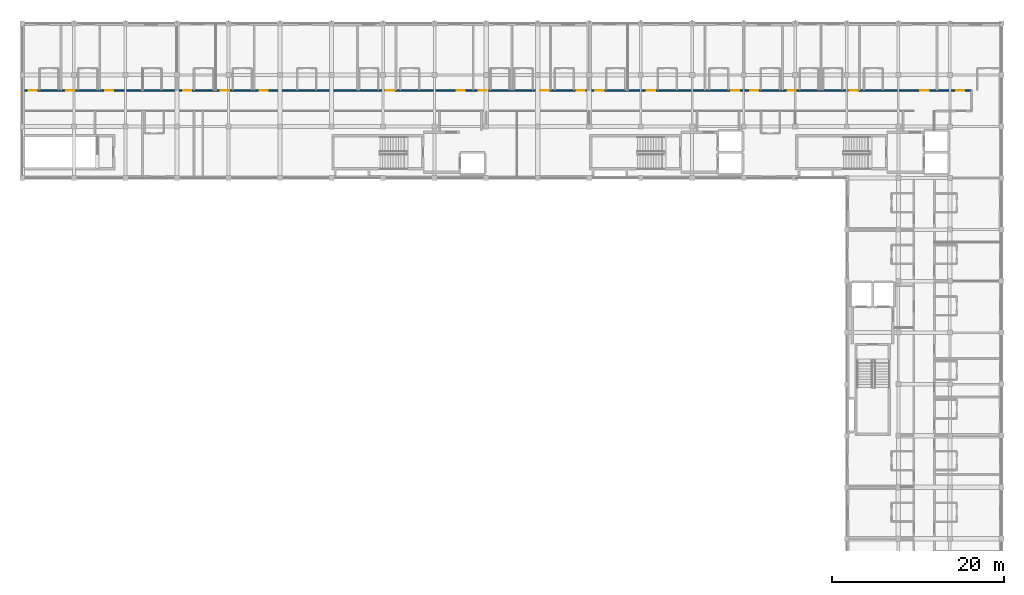
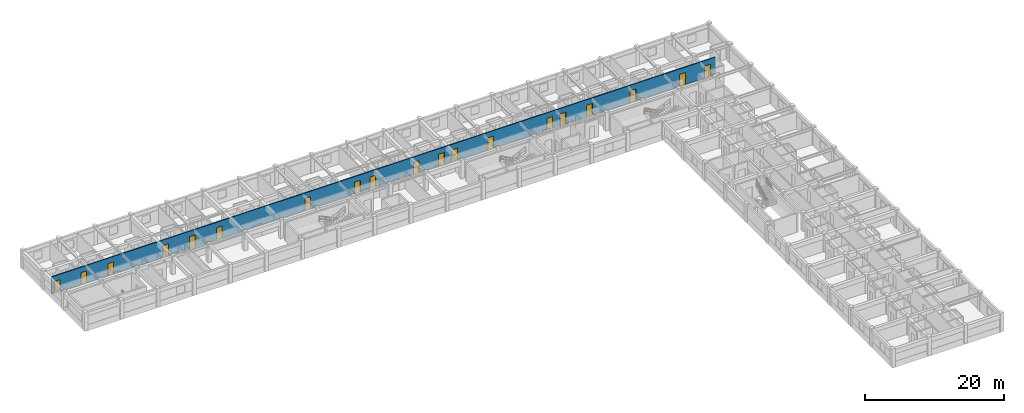
# One storey, part 12 of 21: 19 doors, 1 wall, 19 openings.
"""IFC4 building model written with IfcOpenShell, lengths in metres."""

from ifc_helpers import new_model, si_unit, direction, frame, frame_2d, origin, place, context, subcontext, project, spatial, rectangle, extrude, material, layer, layer_set, type_object, element, fill, save


model = new_model("IFC4")

# Units and contexts
model_context = context("Model", 3, precision=1e-05, world=origin(), true_north=direction((0.0, 1.0)))
body_context = subcontext(model_context, "Body", "Model", "MODEL_VIEW")
ifc_project = project(units=[si_unit("LENGTHUNIT", "METRE"), si_unit("AREAUNIT", "SQUARE_METRE"), si_unit("VOLUMEUNIT", "CUBIC_METRE"), si_unit("PLANEANGLEUNIT", "RADIAN"), si_unit("MASSUNIT", "GRAM", prefix="KILO"), si_unit("THERMODYNAMICTEMPERATUREUNIT", "KELVIN"), si_unit("POWERUNIT", "WATT")], contexts=[model_context])

# Site, building, storey
site_placement = place(None, origin())
site = spatial("IfcSite", under=ifc_project, at=site_placement, CompositionType="ELEMENT")
building_placement = place(site_placement, origin())
building = spatial("IfcBuilding", under=site, at=building_placement, Name="Phaisarnlok Congress Hotel", CompositionType="ELEMENT")
storey_placement = place(building_placement, frame((0.0, 0.0, 34.800048828125)))
storey = spatial("IfcBuildingStorey", under=building, at=storey_placement, Name="L08", CompositionType="ELEMENT", Elevation=34.800048828125)

# Wall, openings, doors
ifc_material_1 = material(Name="Double-Stud Acoustic Gypsum Partition", Category="gypsum")
ifc_layer = layer(ifc_material_1, 0.159912109375, Name="Double-Stud Acoustic Gypsum Partition")
ifc_layer_set = layer_set([ifc_layer], Name="Double-Stud Acoustic Gypsum Partition")
wall_type = type_object("IfcWallType", Name="WL-INT-160", PredefinedType="PARTITIONING", material=ifc_layer_set)
wall_placement = place(storey_placement, frame((66.27490234375, 118.199951171875, 0.0), z_axis=(0.0, 0.0, 1.0), x_axis=(1.0, 0.0, 0.0)))
wall = element("IfcWall", 1, at=wall_placement, inside=storey, type_object=wall_type, Name="Interior partition wall IW-04 (L08)", PredefinedType="PARTITIONING", context=body_context, shape_type="SweptSolid", body=[
    extrude(rectangle(XDim=110.22509765625, YDim=0.159912109375, at=frame_2d((55.112548828125, 0.0))), origin(), (0.0, 0.0, 1.0), 3.070068359375),
])
opening_1_placement = place(wall_placement, frame((0.449951171875, 0.0, 0.0)))
opening_1 = element("IfcOpeningElement", 2, at=opening_1_placement, cuts=wall, Name="Opening D-0406", PredefinedType="OPENING", context=body_context, shape_type="SweptSolid", body=[
    extrude(rectangle(XDim=0.949951171875, YDim=2.10009765625, at=frame_2d((0.47509765625, 1.050048828125))), frame((0.0, 0.08984375, 0.0), z_axis=(0.0, -1.0, 0.0), x_axis=(1.0, 0.0, 0.0)), (0.0, 0.0, 1.0), 0.179931640625),
])
opening_2_placement = place(wall_placement, frame((4.85009765625, 0.0, 0.0)))
opening_2 = element("IfcOpeningElement", 3, at=opening_2_placement, cuts=wall, Name="Opening D-0408", PredefinedType="OPENING", context=body_context, shape_type="SweptSolid", body=[
    extrude(rectangle(XDim=0.949951171875, YDim=2.10009765625, at=frame_2d((0.47509765625, 1.050048828125))), frame((0.0, 0.08984375, 0.0), z_axis=(0.0, -1.0, 0.0), x_axis=(1.0, 0.0, 0.0)), (0.0, 0.0, 1.0), 0.179931640625),
])
opening_3_placement = place(wall_placement, frame((9.35009765625, 0.0, 0.0)))
opening_3 = element("IfcOpeningElement", 4, at=opening_3_placement, cuts=wall, Name="Opening D-0410", PredefinedType="OPENING", context=body_context, shape_type="SweptSolid", body=[
    extrude(rectangle(XDim=0.949951171875, YDim=2.10009765625, at=frame_2d((0.47509765625, 1.050048828125))), frame((0.0, 0.08984375, 0.0), z_axis=(0.0, -1.0, 0.0), x_axis=(1.0, 0.0, 0.0)), (0.0, 0.0, 1.0), 0.179931640625),
])
opening_4_placement = place(wall_placement, frame((18.449951171875, 0.0, 0.0)))
opening_4 = element("IfcOpeningElement", 5, at=opening_4_placement, cuts=wall, Name="Opening D-0412", PredefinedType="OPENING", context=body_context, shape_type="SweptSolid", body=[
    extrude(rectangle(XDim=0.949951171875, YDim=2.10009765625, at=frame_2d((0.47509765625, 1.050048828125))), frame((0.0, 0.08984375, 0.0), z_axis=(0.0, -1.0, 0.0), x_axis=(1.0, 0.0, 0.0)), (0.0, 0.0, 1.0), 0.179931640625),
])
opening_5_placement = place(wall_placement, frame((22.85009765625, 0.0, 0.0)))
opening_5 = element("IfcOpeningElement", 6, at=opening_5_placement, cuts=wall, Name="Opening D-0414", PredefinedType="OPENING", context=body_context, shape_type="SweptSolid", body=[
    extrude(rectangle(XDim=0.949951171875, YDim=2.10009765625, at=frame_2d((0.47509765625, 1.050048828125))), frame((0.0, 0.08984375, 0.0), z_axis=(0.0, -1.0, 0.0), x_axis=(1.0, 0.0, 0.0)), (0.0, 0.0, 1.0), 0.179931640625),
])
opening_6_placement = place(wall_placement, frame((27.35009765625, 0.0, 0.0)))
opening_6 = element("IfcOpeningElement", 7, at=opening_6_placement, cuts=wall, Name="Opening D-0416", PredefinedType="OPENING", context=body_context, shape_type="SweptSolid", body=[
    extrude(rectangle(XDim=0.949951171875, YDim=2.10009765625, at=frame_2d((0.47509765625, 1.050048828125))), frame((0.0, 0.08984375, 0.0), z_axis=(0.0, -1.0, 0.0), x_axis=(1.0, 0.0, 0.0)), (0.0, 0.0, 1.0), 0.179931640625),
])
opening_7_placement = place(wall_placement, frame((42.050048828125, 0.0, 0.0)))
opening_7 = element("IfcOpeningElement", 8, at=opening_7_placement, cuts=wall, Name="Opening D-0418", PredefinedType="OPENING", context=body_context, shape_type="SweptSolid", body=[
    extrude(rectangle(XDim=0.949951171875, YDim=2.10009765625, at=frame_2d((0.47509765625, 1.050048828125))), frame((0.0, 0.08984375, 0.0), z_axis=(0.0, -1.0, 0.0), x_axis=(1.0, 0.0, 0.0)), (0.0, 0.0, 1.0), 0.179931640625),
])
opening_8_placement = place(wall_placement, frame((50.300048828125, 0.0, 0.0)))
opening_8 = element("IfcOpeningElement", 9, at=opening_8_placement, cuts=wall, Name="Opening D-0420", PredefinedType="OPENING", context=body_context, shape_type="SweptSolid", body=[
    extrude(rectangle(XDim=0.949951171875, YDim=2.10009765625, at=frame_2d((0.47509765625, 1.050048828125))), frame((0.0, 0.08984375, 0.0), z_axis=(0.0, -1.0, 0.0), x_axis=(1.0, 0.0, 0.0)), (0.0, 0.0, 1.0), 0.179931640625),
])
opening_9_placement = place(wall_placement, frame((52.85009765625, 0.0, 0.0)))
opening_9 = element("IfcOpeningElement", 10, at=opening_9_placement, cuts=wall, Name="Opening D-0422", PredefinedType="OPENING", context=body_context, shape_type="SweptSolid", body=[
    extrude(rectangle(XDim=0.949951171875, YDim=2.10009765625, at=frame_2d((0.47509765625, 1.050048828125))), frame((0.0, 0.08984375, 0.0), z_axis=(0.0, -1.0, 0.0), x_axis=(1.0, 0.0, 0.0)), (0.0, 0.0, 1.0), 0.179931640625),
])
opening_10_placement = place(wall_placement, frame((60.050048828125, 0.0, 0.0)))
opening_10 = element("IfcOpeningElement", 11, at=opening_10_placement, cuts=wall, Name="Opening D-0424", PredefinedType="OPENING", context=body_context, shape_type="SweptSolid", body=[
    extrude(rectangle(XDim=0.949951171875, YDim=2.10009765625, at=frame_2d((0.47509765625, 1.050048828125))), frame((0.0, 0.08984375, 0.0), z_axis=(0.0, -1.0, 0.0), x_axis=(1.0, 0.0, 0.0)), (0.0, 0.0, 1.0), 0.179931640625),
])
opening_11_placement = place(wall_placement, frame((64.25, 0.0, 0.0)))
opening_11 = element("IfcOpeningElement", 12, at=opening_11_placement, cuts=wall, Name="Opening D-0426", PredefinedType="OPENING", context=body_context, shape_type="SweptSolid", body=[
    extrude(rectangle(XDim=0.949951171875, YDim=2.10009765625, at=frame_2d((0.47509765625, 1.050048828125))), frame((0.0, 0.08984375, 0.0), z_axis=(0.0, -1.0, 0.0), x_axis=(1.0, 0.0, 0.0)), (0.0, 0.0, 1.0), 0.179931640625),
])
opening_12_placement = place(wall_placement, frame((66.449951171875, 0.0, 0.0)))
opening_12 = element("IfcOpeningElement", 13, at=opening_12_placement, cuts=wall, Name="Opening D-0428", PredefinedType="OPENING", context=body_context, shape_type="SweptSolid", body=[
    extrude(rectangle(XDim=0.949951171875, YDim=2.10009765625, at=frame_2d((0.47509765625, 1.050048828125))), frame((0.0, 0.08984375, 0.0), z_axis=(0.0, -1.0, 0.0), x_axis=(1.0, 0.0, 0.0)), (0.0, 0.0, 1.0), 0.179931640625),
])
opening_13_placement = place(wall_placement, frame((72.449951171875, 0.0, 0.0)))
opening_13 = element("IfcOpeningElement", 14, at=opening_13_placement, cuts=wall, Name="Opening D-0430", PredefinedType="OPENING", context=body_context, shape_type="SweptSolid", body=[
    extrude(rectangle(XDim=0.949951171875, YDim=2.10009765625, at=frame_2d((0.47509765625, 1.050048828125))), frame((0.0, 0.08984375, 0.0), z_axis=(0.0, -1.0, 0.0), x_axis=(1.0, 0.0, 0.0)), (0.0, 0.0, 1.0), 0.179931640625),
])
opening_14_placement = place(wall_placement, frame((82.25, 0.0, 0.0)))
opening_14 = element("IfcOpeningElement", 15, at=opening_14_placement, cuts=wall, Name="Opening D-0432", PredefinedType="OPENING", context=body_context, shape_type="SweptSolid", body=[
    extrude(rectangle(XDim=0.949951171875, YDim=2.10009765625, at=frame_2d((0.47509765625, 1.050048828125))), frame((0.0, 0.08984375, 0.0), z_axis=(0.0, -1.0, 0.0), x_axis=(1.0, 0.0, 0.0)), (0.0, 0.0, 1.0), 0.179931640625),
])
opening_15_placement = place(wall_placement, frame((84.449951171875, 0.0, 0.0)))
opening_15 = element("IfcOpeningElement", 16, at=opening_15_placement, cuts=wall, Name="Opening D-0434", PredefinedType="OPENING", context=body_context, shape_type="SweptSolid", body=[
    extrude(rectangle(XDim=0.949951171875, YDim=2.10009765625, at=frame_2d((0.47509765625, 1.050048828125))), frame((0.0, 0.08984375, 0.0), z_axis=(0.0, -1.0, 0.0), x_axis=(1.0, 0.0, 0.0)), (0.0, 0.0, 1.0), 0.179931640625),
])
opening_16_placement = place(wall_placement, frame((88.85009765625, 0.0, 0.0)))
opening_16 = element("IfcOpeningElement", 17, at=opening_16_placement, cuts=wall, Name="Opening D-0436", PredefinedType="OPENING", context=body_context, shape_type="SweptSolid", body=[
    extrude(rectangle(XDim=0.949951171875, YDim=2.10009765625, at=frame_2d((0.47509765625, 1.050048828125))), frame((0.0, 0.08984375, 0.0), z_axis=(0.0, -1.0, 0.0), x_axis=(1.0, 0.0, 0.0)), (0.0, 0.0, 1.0), 0.179931640625),
])
opening_17_placement = place(wall_placement, frame((96.050048828125, 0.0, 0.0)))
opening_17 = element("IfcOpeningElement", 18, at=opening_17_placement, cuts=wall, Name="Opening D-0438", PredefinedType="OPENING", context=body_context, shape_type="SweptSolid", body=[
    extrude(rectangle(XDim=0.949951171875, YDim=2.10009765625, at=frame_2d((0.47509765625, 1.050048828125))), frame((0.0, 0.08984375, 0.0), z_axis=(0.0, -1.0, 0.0), x_axis=(1.0, 0.0, 0.0)), (0.0, 0.0, 1.0), 0.179931640625),
])
opening_18_placement = place(wall_placement, frame((104.300048828125, 0.0, 0.0)))
opening_18 = element("IfcOpeningElement", 19, at=opening_18_placement, cuts=wall, Name="Opening D-0440", PredefinedType="OPENING", context=body_context, shape_type="SweptSolid", body=[
    extrude(rectangle(XDim=0.949951171875, YDim=2.10009765625, at=frame_2d((0.47509765625, 1.050048828125))), frame((0.0, 0.08984375, 0.0), z_axis=(0.0, -1.0, 0.0), x_axis=(1.0, 0.0, 0.0)), (0.0, 0.0, 1.0), 0.179931640625),
])
opening_19_placement = place(wall_placement, frame((108.449951171875, 0.0, 0.0)))
opening_19 = element("IfcOpeningElement", 20, at=opening_19_placement, cuts=wall, Name="Opening D-0442", PredefinedType="OPENING", context=body_context, shape_type="SweptSolid", body=[
    extrude(rectangle(XDim=0.949951171875, YDim=2.10009765625, at=frame_2d((0.47509765625, 1.050048828125))), frame((0.0, 0.08984375, 0.0), z_axis=(0.0, -1.0, 0.0), x_axis=(1.0, 0.0, 0.0)), (0.0, 0.0, 1.0), 0.179931640625),
])
ifc_material_2 = material(Name="Acoustic Solid-Core Teak Veneer", Category="wood")
door_type = type_object("IfcDoorType", Name="DR-FD30-950", OperationType="NOTDEFINED", PredefinedType="DOOR", material=ifc_material_2)
door_1_placement = place(opening_1_placement, origin())
door_1 = element("IfcDoor", 21, at=door_1_placement, inside=storey, type_object=door_type, Name="Interior door D-0406 (L08)", OperationType="SINGLE_SWING_LEFT", OverallHeight=2.10009765625, OverallWidth=0.949951171875, PredefinedType="DOOR", context=body_context, shape_type="SweptSolid", body=[
    extrude(rectangle(XDim=0.949951171875, YDim=2.10009765625, at=frame_2d((0.47509765625, 1.050048828125))), frame((0.0, 0.02490234375, 0.0), z_axis=(0.0, -1.0, 0.0), x_axis=(1.0, 0.0, 0.0)), (0.0, 0.0, 1.0), 0.050048828125),
])
fill(opening_1, door_1)
door_2_placement = place(opening_2_placement, origin())
door_2 = element("IfcDoor", 22, at=door_2_placement, inside=storey, type_object=door_type, Name="Interior door D-0408 (L08)", OperationType="SINGLE_SWING_LEFT", OverallHeight=2.10009765625, OverallWidth=0.949951171875, PredefinedType="DOOR", context=body_context, shape_type="SweptSolid", body=[
    extrude(rectangle(XDim=0.949951171875, YDim=2.10009765625, at=frame_2d((0.47509765625, 1.050048828125))), frame((0.0, 0.02490234375, 0.0), z_axis=(0.0, -1.0, 0.0), x_axis=(1.0, 0.0, 0.0)), (0.0, 0.0, 1.0), 0.050048828125),
])
fill(opening_2, door_2)
door_3_placement = place(opening_3_placement, origin())
door_3 = element("IfcDoor", 23, at=door_3_placement, inside=storey, type_object=door_type, Name="Interior door D-0410 (L08)", OperationType="SINGLE_SWING_LEFT", OverallHeight=2.10009765625, OverallWidth=0.949951171875, PredefinedType="DOOR", context=body_context, shape_type="SweptSolid", body=[
    extrude(rectangle(XDim=0.949951171875, YDim=2.10009765625, at=frame_2d((0.47509765625, 1.050048828125))), frame((0.0, 0.02490234375, 0.0), z_axis=(0.0, -1.0, 0.0), x_axis=(1.0, 0.0, 0.0)), (0.0, 0.0, 1.0), 0.050048828125),
])
fill(opening_3, door_3)
door_4_placement = place(opening_4_placement, origin())
door_4 = element("IfcDoor", 24, at=door_4_placement, inside=storey, type_object=door_type, Name="Interior door D-0412 (L08)", OperationType="SINGLE_SWING_LEFT", OverallHeight=2.10009765625, OverallWidth=0.949951171875, PredefinedType="DOOR", context=body_context, shape_type="SweptSolid", body=[
    extrude(rectangle(XDim=0.949951171875, YDim=2.10009765625, at=frame_2d((0.47509765625, 1.050048828125))), frame((0.0, 0.02490234375, 0.0), z_axis=(0.0, -1.0, 0.0), x_axis=(1.0, 0.0, 0.0)), (0.0, 0.0, 1.0), 0.050048828125),
])
fill(opening_4, door_4)
door_5_placement = place(opening_5_placement, origin())
door_5 = element("IfcDoor", 25, at=door_5_placement, inside=storey, type_object=door_type, Name="Interior door D-0414 (L08)", OperationType="SINGLE_SWING_LEFT", OverallHeight=2.10009765625, OverallWidth=0.949951171875, PredefinedType="DOOR", context=body_context, shape_type="SweptSolid", body=[
    extrude(rectangle(XDim=0.949951171875, YDim=2.10009765625, at=frame_2d((0.47509765625, 1.050048828125))), frame((0.0, 0.02490234375, 0.0), z_axis=(0.0, -1.0, 0.0), x_axis=(1.0, 0.0, 0.0)), (0.0, 0.0, 1.0), 0.050048828125),
])
fill(opening_5, door_5)
door_6_placement = place(opening_6_placement, origin())
door_6 = element("IfcDoor", 26, at=door_6_placement, inside=storey, type_object=door_type, Name="Interior door D-0416 (L08)", OperationType="SINGLE_SWING_LEFT", OverallHeight=2.10009765625, OverallWidth=0.949951171875, PredefinedType="DOOR", context=body_context, shape_type="SweptSolid", body=[
    extrude(rectangle(XDim=0.949951171875, YDim=2.10009765625, at=frame_2d((0.47509765625, 1.050048828125))), frame((0.0, 0.02490234375, 0.0), z_axis=(0.0, -1.0, 0.0), x_axis=(1.0, 0.0, 0.0)), (0.0, 0.0, 1.0), 0.050048828125),
])
fill(opening_6, door_6)
door_7_placement = place(opening_7_placement, origin())
door_7 = element("IfcDoor", 27, at=door_7_placement, inside=storey, type_object=door_type, Name="Interior door D-0418 (L08)", OperationType="SINGLE_SWING_LEFT", OverallHeight=2.10009765625, OverallWidth=0.949951171875, PredefinedType="DOOR", context=body_context, shape_type="SweptSolid", body=[
    extrude(rectangle(XDim=0.949951171875, YDim=2.10009765625, at=frame_2d((0.47509765625, 1.050048828125))), frame((0.0, 0.02490234375, 0.0), z_axis=(0.0, -1.0, 0.0), x_axis=(1.0, 0.0, 0.0)), (0.0, 0.0, 1.0), 0.050048828125),
])
fill(opening_7, door_7)
door_8_placement = place(opening_8_placement, origin())
door_8 = element("IfcDoor", 28, at=door_8_placement, inside=storey, type_object=door_type, Name="Interior door D-0420 (L08)", OperationType="SINGLE_SWING_LEFT", OverallHeight=2.10009765625, OverallWidth=0.949951171875, PredefinedType="DOOR", context=body_context, shape_type="SweptSolid", body=[
    extrude(rectangle(XDim=0.949951171875, YDim=2.10009765625, at=frame_2d((0.47509765625, 1.050048828125))), frame((0.0, 0.02490234375, 0.0), z_axis=(0.0, -1.0, 0.0), x_axis=(1.0, 0.0, 0.0)), (0.0, 0.0, 1.0), 0.050048828125),
])
fill(opening_8, door_8)
door_9_placement = place(opening_9_placement, origin())
door_9 = element("IfcDoor", 29, at=door_9_placement, inside=storey, type_object=door_type, Name="Interior door D-0422 (L08)", OperationType="SINGLE_SWING_LEFT", OverallHeight=2.10009765625, OverallWidth=0.949951171875, PredefinedType="DOOR", context=body_context, shape_type="SweptSolid", body=[
    extrude(rectangle(XDim=0.949951171875, YDim=2.10009765625, at=frame_2d((0.47509765625, 1.050048828125))), frame((0.0, 0.02490234375, 0.0), z_axis=(0.0, -1.0, 0.0), x_axis=(1.0, 0.0, 0.0)), (0.0, 0.0, 1.0), 0.050048828125),
])
fill(opening_9, door_9)
door_10_placement = place(opening_10_placement, origin())
door_10 = element("IfcDoor", 30, at=door_10_placement, inside=storey, type_object=door_type, Name="Interior door D-0424 (L08)", OperationType="SINGLE_SWING_LEFT", OverallHeight=2.10009765625, OverallWidth=0.949951171875, PredefinedType="DOOR", context=body_context, shape_type="SweptSolid", body=[
    extrude(rectangle(XDim=0.949951171875, YDim=2.10009765625, at=frame_2d((0.47509765625, 1.050048828125))), frame((0.0, 0.02490234375, 0.0), z_axis=(0.0, -1.0, 0.0), x_axis=(1.0, 0.0, 0.0)), (0.0, 0.0, 1.0), 0.050048828125),
])
fill(opening_10, door_10)
door_11_placement = place(opening_11_placement, origin())
door_11 = element("IfcDoor", 31, at=door_11_placement, inside=storey, type_object=door_type, Name="Interior door D-0426 (L08)", OperationType="SINGLE_SWING_LEFT", OverallHeight=2.10009765625, OverallWidth=0.949951171875, PredefinedType="DOOR", context=body_context, shape_type="SweptSolid", body=[
    extrude(rectangle(XDim=0.949951171875, YDim=2.10009765625, at=frame_2d((0.47509765625, 1.050048828125))), frame((0.0, 0.02490234375, 0.0), z_axis=(0.0, -1.0, 0.0), x_axis=(1.0, 0.0, 0.0)), (0.0, 0.0, 1.0), 0.050048828125),
])
fill(opening_11, door_11)
door_12_placement = place(opening_12_placement, origin())
door_12 = element("IfcDoor", 32, at=door_12_placement, inside=storey, type_object=door_type, Name="Interior door D-0428 (L08)", OperationType="SINGLE_SWING_LEFT", OverallHeight=2.10009765625, OverallWidth=0.949951171875, PredefinedType="DOOR", context=body_context, shape_type="SweptSolid", body=[
    extrude(rectangle(XDim=0.949951171875, YDim=2.10009765625, at=frame_2d((0.47509765625, 1.050048828125))), frame((0.0, 0.02490234375, 0.0), z_axis=(0.0, -1.0, 0.0), x_axis=(1.0, 0.0, 0.0)), (0.0, 0.0, 1.0), 0.050048828125),
])
fill(opening_12, door_12)
door_13_placement = place(opening_13_placement, origin())
door_13 = element("IfcDoor", 33, at=door_13_placement, inside=storey, type_object=door_type, Name="Interior door D-0430 (L08)", OperationType="SINGLE_SWING_LEFT", OverallHeight=2.10009765625, OverallWidth=0.949951171875, PredefinedType="DOOR", context=body_context, shape_type="SweptSolid", body=[
    extrude(rectangle(XDim=0.949951171875, YDim=2.10009765625, at=frame_2d((0.47509765625, 1.050048828125))), frame((0.0, 0.02490234375, 0.0), z_axis=(0.0, -1.0, 0.0), x_axis=(1.0, 0.0, 0.0)), (0.0, 0.0, 1.0), 0.050048828125),
])
fill(opening_13, door_13)
door_14_placement = place(opening_14_placement, origin())
door_14 = element("IfcDoor", 34, at=door_14_placement, inside=storey, type_object=door_type, Name="Interior door D-0432 (L08)", OperationType="SINGLE_SWING_LEFT", OverallHeight=2.10009765625, OverallWidth=0.949951171875, PredefinedType="DOOR", context=body_context, shape_type="SweptSolid", body=[
    extrude(rectangle(XDim=0.949951171875, YDim=2.10009765625, at=frame_2d((0.47509765625, 1.050048828125))), frame((0.0, 0.02490234375, 0.0), z_axis=(0.0, -1.0, 0.0), x_axis=(1.0, 0.0, 0.0)), (0.0, 0.0, 1.0), 0.050048828125),
])
fill(opening_14, door_14)
door_15_placement = place(opening_15_placement, origin())
door_15 = element("IfcDoor", 35, at=door_15_placement, inside=storey, type_object=door_type, Name="Interior door D-0434 (L08)", OperationType="SINGLE_SWING_LEFT", OverallHeight=2.10009765625, OverallWidth=0.949951171875, PredefinedType="DOOR", context=body_context, shape_type="SweptSolid", body=[
    extrude(rectangle(XDim=0.949951171875, YDim=2.10009765625, at=frame_2d((0.47509765625, 1.050048828125))), frame((0.0, 0.02490234375, 0.0), z_axis=(0.0, -1.0, 0.0), x_axis=(1.0, 0.0, 0.0)), (0.0, 0.0, 1.0), 0.050048828125),
])
fill(opening_15, door_15)
door_16_placement = place(opening_16_placement, origin())
door_16 = element("IfcDoor", 36, at=door_16_placement, inside=storey, type_object=door_type, Name="Interior door D-0436 (L08)", OperationType="SINGLE_SWING_LEFT", OverallHeight=2.10009765625, OverallWidth=0.949951171875, PredefinedType="DOOR", context=body_context, shape_type="SweptSolid", body=[
    extrude(rectangle(XDim=0.949951171875, YDim=2.10009765625, at=frame_2d((0.47509765625, 1.050048828125))), frame((0.0, 0.02490234375, 0.0), z_axis=(0.0, -1.0, 0.0), x_axis=(1.0, 0.0, 0.0)), (0.0, 0.0, 1.0), 0.050048828125),
])
fill(opening_16, door_16)
door_17_placement = place(opening_17_placement, origin())
door_17 = element("IfcDoor", 37, at=door_17_placement, inside=storey, type_object=door_type, Name="Interior door D-0438 (L08)", OperationType="SINGLE_SWING_LEFT", OverallHeight=2.10009765625, OverallWidth=0.949951171875, PredefinedType="DOOR", context=body_context, shape_type="SweptSolid", body=[
    extrude(rectangle(XDim=0.949951171875, YDim=2.10009765625, at=frame_2d((0.47509765625, 1.050048828125))), frame((0.0, 0.02490234375, 0.0), z_axis=(0.0, -1.0, 0.0), x_axis=(1.0, 0.0, 0.0)), (0.0, 0.0, 1.0), 0.050048828125),
])
fill(opening_17, door_17)
door_18_placement = place(opening_18_placement, origin())
door_18 = element("IfcDoor", 38, at=door_18_placement, inside=storey, type_object=door_type, Name="Interior door D-0440 (L08)", OperationType="SINGLE_SWING_LEFT", OverallHeight=2.10009765625, OverallWidth=0.949951171875, PredefinedType="DOOR", context=body_context, shape_type="SweptSolid", body=[
    extrude(rectangle(XDim=0.949951171875, YDim=2.10009765625, at=frame_2d((0.47509765625, 1.050048828125))), frame((0.0, 0.02490234375, 0.0), z_axis=(0.0, -1.0, 0.0), x_axis=(1.0, 0.0, 0.0)), (0.0, 0.0, 1.0), 0.050048828125),
])
fill(opening_18, door_18)
door_19_placement = place(opening_19_placement, origin())
door_19 = element("IfcDoor", 39, at=door_19_placement, inside=storey, type_object=door_type, Name="Interior door D-0442 (L08)", OperationType="SINGLE_SWING_LEFT", OverallHeight=2.10009765625, OverallWidth=0.949951171875, PredefinedType="DOOR", context=body_context, shape_type="SweptSolid", body=[
    extrude(rectangle(XDim=0.949951171875, YDim=2.10009765625, at=frame_2d((0.47509765625, 1.050048828125))), frame((0.0, 0.02490234375, 0.0), z_axis=(0.0, -1.0, 0.0), x_axis=(1.0, 0.0, 0.0)), (0.0, 0.0, 1.0), 0.050048828125),
])
fill(opening_19, door_19)

save(model, "model.ifc")
